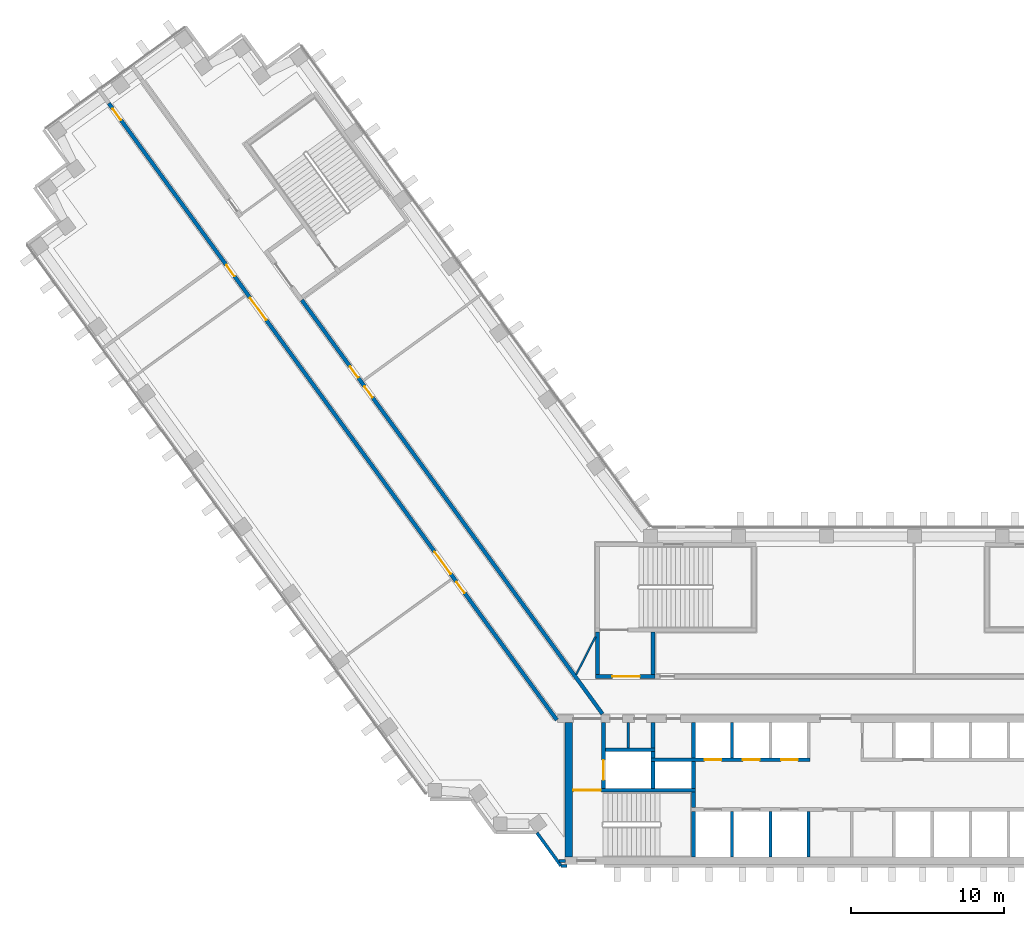
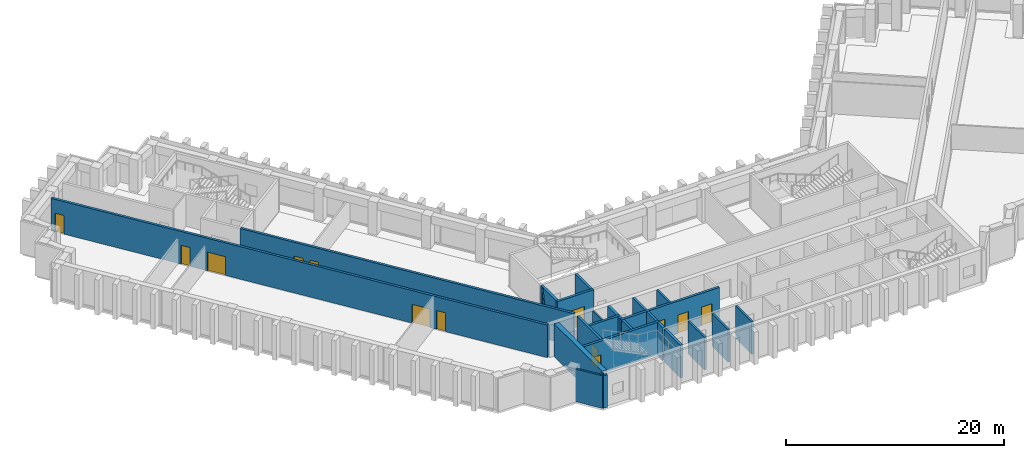
# One storey, part 4 of 11: 26 walls, 13 doors, 13 openings.
"""IFC4 building model written with IfcOpenShell, lengths in metres."""

from ifc_helpers import new_model, si_unit, direction, frame, frame_2d, origin, place, context, subcontext, project, spatial, rectangle, extrude, material, layer, layer_set, type_object, element, fill, save


model = new_model("IFC4")

# Units and contexts
model_context = context("Model", 3, precision=1e-05, world=origin(), true_north=direction((0.0, 1.0)))
body_context = subcontext(model_context, "Body", "Model", "MODEL_VIEW")
ifc_project = project(units=[si_unit("LENGTHUNIT", "METRE"), si_unit("AREAUNIT", "SQUARE_METRE"), si_unit("VOLUMEUNIT", "CUBIC_METRE"), si_unit("PLANEANGLEUNIT", "RADIAN"), si_unit("MASSUNIT", "GRAM", prefix="KILO")], contexts=[model_context])

# Site, building, storey
site_placement = place(None, origin())
site = spatial("IfcSite", under=ifc_project, at=site_placement, CompositionType="ELEMENT")
building_placement = place(site_placement, origin())
building = spatial("IfcBuilding", under=site, at=building_placement, Name="Quipu Civic Tower", CompositionType="ELEMENT")
storey_placement = place(building_placement, frame((0.0, 0.0, 117.0)))
storey = spatial("IfcBuildingStorey", under=building, at=storey_placement, Name="L27", CompositionType="ELEMENT", Elevation=117.0)

# Walls
ifc_material_1 = material(Name="Concrete C70/85", Category="concrete")
ifc_layer_1 = layer(ifc_material_1, 0.25)
ifc_layer_set_1 = layer_set([ifc_layer_1], Name="Concrete C70/85")
wall_type_1 = type_object("IfcWallType", Name="Core wall 250", PredefinedType="SHEAR", material=ifc_layer_set_1)
wall_1_placement = place(storey_placement, frame((-11.574951171875, -10.5, 0.0), z_axis=(0.0, 0.0, 1.0), x_axis=(0.0, 1.0, 0.0)))
element("IfcWall", 1, at=wall_1_placement, inside=storey, type_object=wall_type_1, Name="Core wall", PredefinedType="SHEAR", context=body_context, shape_type="SweptSolid", body=[
    extrude(rectangle(XDim=3.0, YDim=0.25, at=frame_2d((1.5, 0.0))), origin(), (0.0, 0.0, 1.0), 3.64990234375),
])
wall_2_placement = place(storey_placement, frame((-11.574951171875, -7.25, 0.0), z_axis=(0.0, 0.0, 1.0), x_axis=(0.0, 1.0, 0.0)))
element("IfcWall", 2, at=wall_2_placement, inside=storey, type_object=wall_type_1, Name="Core wall", PredefinedType="SHEAR", context=body_context, shape_type="SweptSolid", body=[
    extrude(rectangle(XDim=1.0, YDim=0.25, at=frame_2d((0.5, 0.0))), origin(), (0.0, 0.0, 1.0), 3.64990234375),
])

# Wall, opening, door
wall_3_placement = place(storey_placement, frame((-11.449951171875, -6.125, 0.0), z_axis=(0.0, 0.0, 1.0), x_axis=(-1.0, 0.0, 0.0)))
wall_3 = element("IfcWall", 3, at=wall_3_placement, inside=storey, type_object=wall_type_1, Name="Core wall", PredefinedType="SHEAR", context=body_context, shape_type="SweptSolid", body=[
    extrude(rectangle(XDim=8.050048828125, YDim=0.25, at=frame_2d((4.02490234375, 0.0))), origin(), (0.0, 0.0, 1.0), 3.64990234375),
])
opening_1_placement = place(wall_3_placement, frame((6.199951171875, 0.0, 0.0)))
opening_1 = element("IfcOpeningElement", 4, at=opening_1_placement, cuts=wall_3, Name="Opening CD-03", PredefinedType="OPENING", context=body_context, shape_type="SweptSolid", body=[
    extrude(rectangle(XDim=1.800048828125, YDim=2.10009765625, at=frame_2d((0.89990234375, 1.050048828125))), frame((0.0, 0.135009765625, 0.0), z_axis=(0.0, -1.0, 0.0), x_axis=(1.0, 0.0, 0.0)), (0.0, 0.0, 1.0), 0.27001953125),
])
ifc_material_2 = material(Name="Fire rated steel door", Category="steel")
door_type_1 = type_object("IfcDoorType", Name="Fire door FD90 double 1800 x 2100", OperationType="NOTDEFINED", PredefinedType="DOOR", material=ifc_material_2)
door_1_placement = place(opening_1_placement, origin())
door_1 = element("IfcDoor", 5, at=door_1_placement, inside=storey, type_object=door_type_1, Name="Door", OperationType="DOUBLE_DOOR_SINGLE_SWING", OverallHeight=2.10009765625, OverallWidth=1.800048828125, PredefinedType="DOOR", context=body_context, shape_type="SweptSolid", body=[
    extrude(rectangle(XDim=1.800048828125, YDim=2.10009765625, at=frame_2d((0.89990234375, 1.050048828125))), frame((0.0, 0.02490234375, 0.0), z_axis=(0.0, -1.0, 0.0), x_axis=(1.0, 0.0, 0.0)), (0.0, 0.0, 1.0), 0.050048828125),
])
fill(opening_1, door_1)

wall_4_placement = place(storey_placement, frame((-17.47509765625, -6.0, 0.0), z_axis=(0.0, 0.0, 1.0), x_axis=(0.0, 1.0, 0.0)))
wall_4 = element("IfcWall", 6, at=wall_4_placement, inside=storey, type_object=wall_type_1, Name="Core wall", PredefinedType="SHEAR", context=body_context, shape_type="SweptSolid", body=[
    extrude(rectangle(XDim=4.300048828125, YDim=0.25, at=frame_2d((2.14990234375, 0.0))), origin(), (0.0, 0.0, 1.0), 3.64990234375),
])
opening_2_placement = place(wall_4_placement, frame((0.550048828125, 0.0, 0.0)))
opening_2 = element("IfcOpeningElement", 7, at=opening_2_placement, cuts=wall_4, Name="Opening LD-FF1", PredefinedType="OPENING", context=body_context, shape_type="SweptSolid", body=[
    extrude(rectangle(XDim=1.300048828125, YDim=2.10009765625, at=frame_2d((0.64990234375, 1.050048828125))), frame((0.0, 0.135009765625, 0.0), z_axis=(0.0, -1.0, 0.0), x_axis=(1.0, 0.0, 0.0)), (0.0, 0.0, 1.0), 0.27001953125),
])
ifc_material_3 = material(Name="Stainless steel", Category="steel")
door_type_2 = type_object("IfcDoorType", Name="Lift landing door 1300 x 2100", OperationType="DOUBLE_DOOR_SLIDING", PredefinedType="DOOR", material=ifc_material_3)
door_2_placement = place(opening_2_placement, origin())
door_2 = element("IfcDoor", 8, at=door_2_placement, inside=storey, type_object=door_type_2, Name="Landing door FF1", OperationType="DOUBLE_DOOR_SLIDING", OverallHeight=2.10009765625, OverallWidth=1.300048828125, PredefinedType="DOOR", context=body_context, shape_type="SweptSolid", body=[
    extrude(rectangle(XDim=1.300048828125, YDim=2.10009765625, at=frame_2d((0.64990234375, 1.050048828125))), frame((0.0, 0.02490234375, 0.0), z_axis=(0.0, -1.0, 0.0), x_axis=(1.0, 0.0, 0.0)), (0.0, 0.0, 1.0), 0.050048828125),
])
fill(opening_2, door_2)

# Walls
for number, where, z_axis, x_axis, name in (
    (9, (-14.22509765625, -6.0, 0.0), (0.0, 0.0, 1.0), (0.0, 1.0, 0.0), "Core wall"),
    (10, (-11.574951171875, -6.0, 0.0), (0.0, 0.0, 1.0), (0.0, 1.0, 0.0), "Core wall"),
):
    element("IfcWall", number, at=place(storey_placement, frame(where, z_axis=z_axis, x_axis=x_axis)), inside=storey, type_object=wall_type_1, Name=name, PredefinedType="SHEAR", context=body_context, shape_type="SweptSolid", body=[
        extrude(rectangle(XDim=1.75, YDim=0.25, at=frame_2d((0.875, 0.0))), origin(), (0.0, 0.0, 1.0), 3.64990234375),
    ])

# Wall, openings, doors
wall_5_placement = place(storey_placement, frame((-14.35009765625, -4.125, 0.0), z_axis=(0.0, 0.0, 1.0), x_axis=(1.0, 0.0, 0.0)))
wall_5 = element("IfcWall", 11, at=wall_5_placement, inside=storey, type_object=wall_type_1, Name="Core wall", PredefinedType="SHEAR", context=body_context, shape_type="SweptSolid", body=[
    extrude(rectangle(XDim=10.400146484375, YDim=0.25, at=frame_2d((5.2001953125, 0.0))), origin(), (0.0, 0.0, 1.0), 3.64990234375),
])
opening_3_placement = place(wall_5_placement, frame((3.5, 0.0, 0.0)))
opening_3 = element("IfcOpeningElement", 12, at=opening_3_placement, cuts=wall_5, Name="Opening LD-LL4", PredefinedType="OPENING", context=body_context, shape_type="SweptSolid", body=[
    extrude(rectangle(XDim=1.10009765625, YDim=2.10009765625, at=frame_2d((0.550048828125, 1.050048828125))), frame((0.0, 0.135009765625, 0.0), z_axis=(0.0, -1.0, 0.0), x_axis=(1.0, 0.0, 0.0)), (0.0, 0.0, 1.0), 0.27001953125),
])
opening_4_placement = place(wall_5_placement, frame((6.0, 0.0, 0.0)))
opening_4 = element("IfcOpeningElement", 13, at=opening_4_placement, cuts=wall_5, Name="Opening LD-LL5", PredefinedType="OPENING", context=body_context, shape_type="SweptSolid", body=[
    extrude(rectangle(XDim=1.10009765625, YDim=2.10009765625, at=frame_2d((0.550048828125, 1.050048828125))), frame((0.0, 0.135009765625, 0.0), z_axis=(0.0, -1.0, 0.0), x_axis=(1.0, 0.0, 0.0)), (0.0, 0.0, 1.0), 0.27001953125),
])
opening_5_placement = place(wall_5_placement, frame((8.5, 0.0, 0.0)))
opening_5 = element("IfcOpeningElement", 14, at=opening_5_placement, cuts=wall_5, Name="Opening LD-LL6", PredefinedType="OPENING", context=body_context, shape_type="SweptSolid", body=[
    extrude(rectangle(XDim=1.10009765625, YDim=2.10009765625, at=frame_2d((0.550048828125, 1.050048828125))), frame((0.0, 0.135009765625, 0.0), z_axis=(0.0, -1.0, 0.0), x_axis=(1.0, 0.0, 0.0)), (0.0, 0.0, 1.0), 0.27001953125),
])
ifc_material_4 = material(Name="Stainless steel", Category="steel")
door_type_3 = type_object("IfcDoorType", Name="Lift landing door 1100 x 2100", OperationType="DOUBLE_DOOR_SLIDING", PredefinedType="DOOR", material=ifc_material_4)
door_3_placement = place(opening_3_placement, origin())
door_3 = element("IfcDoor", 15, at=door_3_placement, inside=storey, type_object=door_type_3, Name="Landing door LL4", OperationType="DOUBLE_DOOR_SLIDING", OverallHeight=2.10009765625, OverallWidth=1.10009765625, PredefinedType="DOOR", context=body_context, shape_type="SweptSolid", body=[
    extrude(rectangle(XDim=1.10009765625, YDim=2.10009765625, at=frame_2d((0.550048828125, 1.050048828125))), frame((0.0, 0.02490234375, 0.0), z_axis=(0.0, -1.0, 0.0), x_axis=(1.0, 0.0, 0.0)), (0.0, 0.0, 1.0), 0.050048828125),
])
fill(opening_3, door_3)
door_4_placement = place(opening_4_placement, origin())
door_4 = element("IfcDoor", 16, at=door_4_placement, inside=storey, type_object=door_type_3, Name="Landing door LL5", OperationType="DOUBLE_DOOR_SLIDING", OverallHeight=2.10009765625, OverallWidth=1.10009765625, PredefinedType="DOOR", context=body_context, shape_type="SweptSolid", body=[
    extrude(rectangle(XDim=1.10009765625, YDim=2.10009765625, at=frame_2d((0.550048828125, 1.050048828125))), frame((0.0, 0.02490234375, 0.0), z_axis=(0.0, -1.0, 0.0), x_axis=(1.0, 0.0, 0.0)), (0.0, 0.0, 1.0), 0.050048828125),
])
fill(opening_4, door_4)
door_5_placement = place(opening_5_placement, origin())
door_5 = element("IfcDoor", 17, at=door_5_placement, inside=storey, type_object=door_type_3, Name="Landing door LL6", OperationType="DOUBLE_DOOR_SLIDING", OverallHeight=2.10009765625, OverallWidth=1.10009765625, PredefinedType="DOOR", context=body_context, shape_type="SweptSolid", body=[
    extrude(rectangle(XDim=1.10009765625, YDim=2.10009765625, at=frame_2d((0.550048828125, 1.050048828125))), frame((0.0, 0.02490234375, 0.0), z_axis=(0.0, -1.0, 0.0), x_axis=(1.0, 0.0, 0.0)), (0.0, 0.0, 1.0), 0.050048828125),
])
fill(opening_5, door_5)

# Walls
wall_6_placement = place(storey_placement, frame((-14.22509765625, -4.0, 0.0), z_axis=(0.0, 0.0, 1.0), x_axis=(0.0, 1.0, 0.0)))
element("IfcWall", 18, at=wall_6_placement, inside=storey, type_object=wall_type_1, Name="Core wall", PredefinedType="SHEAR", context=body_context, shape_type="SweptSolid", body=[
    extrude(rectangle(XDim=0.39990234375, YDim=0.25, at=frame_2d((0.199951171875, 0.0))), origin(), (0.0, 0.0, 1.0), 3.64990234375),
])
wall_7_placement = place(storey_placement, frame((-11.574951171875, -4.0, 0.0), z_axis=(0.0, 0.0, 1.0), x_axis=(0.0, 1.0, 0.0)))
element("IfcWall", 19, at=wall_7_placement, inside=storey, type_object=wall_type_1, Name="Core wall", PredefinedType="SHEAR", context=body_context, shape_type="SweptSolid", body=[
    extrude(rectangle(XDim=2.300048828125, YDim=0.25, at=frame_2d((1.14990234375, 0.0))), origin(), (0.0, 0.0, 1.0), 3.64990234375),
])
wall_8_placement = place(storey_placement, frame((-17.35009765625, -3.47509765625, 0.0), z_axis=(0.0, 0.0, 1.0), x_axis=(1.0, 0.0, 0.0)))
element("IfcWall", 20, at=wall_8_placement, inside=storey, type_object=wall_type_1, Name="Core wall", PredefinedType="SHEAR", context=body_context, shape_type="SweptSolid", body=[
    extrude(rectangle(XDim=3.25, YDim=0.25, at=frame_2d((1.625, 0.0))), origin(), (0.0, 0.0, 1.0), 3.64990234375),
])
wall_9_placement = place(storey_placement, frame((-14.22509765625, -3.35009765625, 0.0), z_axis=(0.0, 0.0, 1.0), x_axis=(0.0, 1.0, 0.0)))
element("IfcWall", 21, at=wall_9_placement, inside=storey, type_object=wall_type_1, Name="Core wall", PredefinedType="SHEAR", context=body_context, shape_type="SweptSolid", body=[
    extrude(rectangle(XDim=1.650146484375, YDim=0.25, at=frame_2d((0.8251953125, 0.0))), origin(), (0.0, 0.0, 1.0), 3.64990234375),
])

# Wall, opening, door
wall_10_placement = place(storey_placement, frame((-18.0, 1.324951171875, 0.0), z_axis=(0.0, 0.0, 1.0), x_axis=(1.0, 0.0, 0.0)))
wall_10 = element("IfcWall", 22, at=wall_10_placement, inside=storey, type_object=wall_type_1, Name="Core wall", PredefinedType="SHEAR", context=body_context, shape_type="SweptSolid", body=[
    extrude(rectangle(XDim=3.89990234375, YDim=0.25, at=frame_2d((1.949951171875, 0.0))), origin(), (0.0, 0.0, 1.0), 3.64990234375),
])
opening_6_placement = place(wall_10_placement, frame((1.10009765625, 0.0, 0.0)))
opening_6 = element("IfcOpeningElement", 23, at=opening_6_placement, cuts=wall_10, Name="Opening CD-14", PredefinedType="OPENING", context=body_context, shape_type="SweptSolid", body=[
    extrude(rectangle(XDim=1.800048828125, YDim=2.10009765625, at=frame_2d((0.89990234375, 1.050048828125))), frame((0.0, 0.135009765625, 0.0), z_axis=(0.0, -1.0, 0.0), x_axis=(1.0, 0.0, 0.0)), (0.0, 0.0, 1.0), 0.27001953125),
])
door_6_placement = place(opening_6_placement, origin())
door_6 = element("IfcDoor", 24, at=door_6_placement, inside=storey, type_object=door_type_1, Name="Lobby door", OperationType="DOUBLE_DOOR_SINGLE_SWING", OverallHeight=2.10009765625, OverallWidth=1.800048828125, PredefinedType="DOOR", context=body_context, shape_type="SweptSolid", body=[
    extrude(rectangle(XDim=1.800048828125, YDim=2.10009765625, at=frame_2d((0.89990234375, 1.050048828125))), frame((0.0, 0.02490234375, 0.0), z_axis=(0.0, -1.0, 0.0), x_axis=(1.0, 0.0, 0.0)), (0.0, 0.0, 1.0), 0.050048828125),
])
fill(opening_6, door_6)

# Walls
for number, where, z_axis, x_axis, name in (
    (25, (-17.875, 1.449951171875, 0.0), (0.0, 0.0, 1.0), (0.0, 1.0, 0.0), "Core wall"),
    (26, (-14.22509765625, 1.449951171875, 0.0), (0.0, 0.0, 1.0), (0.0, 1.0, 0.0), "Core wall"),
):
    element("IfcWall", number, at=place(storey_placement, frame(where, z_axis=z_axis, x_axis=x_axis)), inside=storey, type_object=wall_type_1, Name=name, PredefinedType="SHEAR", context=body_context, shape_type="SweptSolid", body=[
        extrude(rectangle(XDim=2.800048828125, YDim=0.25, at=frame_2d((1.39990234375, 0.0))), origin(), (0.0, 0.0, 1.0), 3.64990234375),
    ])
ifc_material_5 = material(Name="Concrete C70/85", Category="concrete")
ifc_layer_2 = layer(ifc_material_5, 0.5)
ifc_layer_set_2 = layer_set([ifc_layer_2], Name="Concrete C70/85")
wall_type_2 = type_object("IfcWallType", Name="Core wall 500", PredefinedType="SHEAR", material=ifc_layer_set_2)
wall_11_placement = place(storey_placement, frame((-19.75, -10.5, 0.0), z_axis=(0.0, 0.0, 1.0), x_axis=(0.0, 1.0, 0.0)))
element("IfcWall", 27, at=wall_11_placement, inside=storey, type_object=wall_type_2, Name="Core wall", PredefinedType="SHEAR", context=body_context, shape_type="SweptSolid", body=[
    extrude(rectangle(XDim=8.800048828125, YDim=0.5, at=frame_2d((4.39990234375, 0.0))), origin(), (0.0, 0.0, 1.0), 3.64990234375),
])

# Wall, openings, doors
ifc_material_6 = material(Name="Concrete C50/60", Category="concrete")
ifc_layer_3 = layer(ifc_material_6, 0.25)
ifc_layer_set_3 = layer_set([ifc_layer_3], Name="Concrete C50/60")
wall_type_3 = type_object("IfcWallType", Name="Corridor wall 250 concrete", PredefinedType="SOLIDWALL", material=ifc_layer_set_3)
wall_12_placement = place(storey_placement, frame((-20.531005859375, -1.5234375, 0.0), z_axis=(0.0, 0.0, 1.0), x_axis=(-0.587784522481, 0.809017524614, 0.0)))
wall_12 = element("IfcWall", 28, at=wall_12_placement, inside=storey, type_object=wall_type_3, Name="Corridor wall C02", PredefinedType="SOLIDWALL", context=body_context, shape_type="SweptSolid", body=[
    extrude(rectangle(XDim=49.912353515625, YDim=0.25, at=frame_2d((24.9560546875, 0.0))), origin(), (0.0, 0.0, 1.0), 3.64990234375),
])
opening_7_placement = place(wall_12_placement, frame((10.265869140625, 0.0, 0.0)))
opening_7 = element("IfcOpeningElement", 29, at=opening_7_placement, cuts=wall_12, Name="Opening D015", PredefinedType="OPENING", context=body_context, shape_type="SweptSolid", body=[
    extrude(rectangle(XDim=0.89990234375, YDim=2.10009765625, at=frame_2d((0.449951171875, 1.050048828125))), frame((0.0, 0.135009765625, 0.0), z_axis=(0.0, -1.0, 0.0), x_axis=(1.0, 0.0, 0.0)), (0.0, 0.0, 1.0), 0.27001953125),
])
opening_8_placement = place(wall_12_placement, frame((32.365966796875, 0.0, 0.0)))
opening_8 = element("IfcOpeningElement", 30, at=opening_8_placement, cuts=wall_12, Name="Opening D013", PredefinedType="OPENING", context=body_context, shape_type="SweptSolid", body=[
    extrude(rectangle(XDim=1.800048828125, YDim=2.10009765625, at=frame_2d((0.89990234375, 1.050048828125))), frame((0.0, 0.135009765625, 0.0), z_axis=(0.0, -1.0, 0.0), x_axis=(1.0, 0.0, 0.0)), (0.0, 0.0, 1.0), 0.27001953125),
])
opening_9_placement = place(wall_12_placement, frame((11.8154296875, 0.0, 0.0)))
opening_9 = element("IfcOpeningElement", 31, at=opening_9_placement, cuts=wall_12, Name="Opening D014", PredefinedType="OPENING", context=body_context, shape_type="SweptSolid", body=[
    extrude(rectangle(XDim=1.800048828125, YDim=2.10009765625, at=frame_2d((0.89990234375, 1.050048828125))), frame((0.0, 0.135009765625, 0.0), z_axis=(0.0, -1.0, 0.0), x_axis=(1.0, 0.0, 0.0)), (0.0, 0.0, 1.0), 0.27001953125),
])
opening_10_placement = place(wall_12_placement, frame((48.5703125, 0.0, 0.0)))
opening_10 = element("IfcOpeningElement", 32, at=opening_10_placement, cuts=wall_12, Name="Opening D011", PredefinedType="OPENING", context=body_context, shape_type="SweptSolid", body=[
    extrude(rectangle(XDim=0.89990234375, YDim=2.10009765625, at=frame_2d((0.449951171875, 1.050048828125))), frame((0.0, 0.135009765625, 0.0), z_axis=(0.0, -1.0, 0.0), x_axis=(1.0, 0.0, 0.0)), (0.0, 0.0, 1.0), 0.27001953125),
])
opening_11_placement = place(wall_12_placement, frame((35.9150390625, 0.0, 0.0)))
opening_11 = element("IfcOpeningElement", 33, at=opening_11_placement, cuts=wall_12, Name="Opening D012", PredefinedType="OPENING", context=body_context, shape_type="SweptSolid", body=[
    extrude(rectangle(XDim=0.89990234375, YDim=2.10009765625, at=frame_2d((0.449951171875, 1.050048828125))), frame((0.0, 0.135009765625, 0.0), z_axis=(0.0, -1.0, 0.0), x_axis=(1.0, 0.0, 0.0)), (0.0, 0.0, 1.0), 0.27001953125),
])
ifc_material_7 = material(Name="Fire rated timber door set with metal frame", Category="wood")
door_type_4 = type_object("IfcDoorType", Name="Double door 1800 x 2100 FD60", OperationType="DOUBLE_DOOR_SINGLE_SWING", PredefinedType="DOOR", material=ifc_material_7)
door_7_placement = place(opening_8_placement, origin())
door_7 = element("IfcDoor", 34, at=door_7_placement, inside=storey, type_object=door_type_4, Name="Door D013", OperationType="DOUBLE_DOOR_SINGLE_SWING", OverallHeight=2.10009765625, OverallWidth=1.800048828125, PredefinedType="DOOR", context=body_context, shape_type="SweptSolid", body=[
    extrude(rectangle(XDim=1.800048828125, YDim=2.10009765625, at=frame_2d((0.89990234375, 1.050048828125))), frame((0.0, 0.02490234375, 0.0), z_axis=(0.0, -1.0, 0.0), x_axis=(1.0, 0.0, 0.0)), (0.0, 0.0, 1.0), 0.050048828125),
])
fill(opening_8, door_7)
door_8_placement = place(opening_9_placement, origin())
door_8 = element("IfcDoor", 35, at=door_8_placement, inside=storey, type_object=door_type_4, Name="Door D014", OperationType="DOUBLE_DOOR_SINGLE_SWING", OverallHeight=2.10009765625, OverallWidth=1.800048828125, PredefinedType="DOOR", context=body_context, shape_type="SweptSolid", body=[
    extrude(rectangle(XDim=1.800048828125, YDim=2.10009765625, at=frame_2d((0.89990234375, 1.050048828125))), frame((0.0, 0.02490234375, 0.0), z_axis=(0.0, -1.0, 0.0), x_axis=(1.0, 0.0, 0.0)), (0.0, 0.0, 1.0), 0.050048828125),
])
fill(opening_9, door_8)
ifc_material_8 = material(Name="Fire rated timber door set with metal frame", Category="wood")
door_type_5 = type_object("IfcDoorType", Name="Single door 900 x 2100 FD60", OperationType="NOTDEFINED", PredefinedType="DOOR", material=ifc_material_8)
door_9_placement = place(opening_7_placement, origin())
door_9 = element("IfcDoor", 36, at=door_9_placement, inside=storey, type_object=door_type_5, Name="Door D015", OperationType="SINGLE_SWING_RIGHT", OverallHeight=2.10009765625, OverallWidth=0.89990234375, PredefinedType="DOOR", context=body_context, shape_type="SweptSolid", body=[
    extrude(rectangle(XDim=0.89990234375, YDim=2.10009765625, at=frame_2d((0.449951171875, 1.050048828125))), frame((0.0, 0.02490234375, 0.0), z_axis=(0.0, -1.0, 0.0), x_axis=(1.0, 0.0, 0.0)), (0.0, 0.0, 1.0), 0.050048828125),
])
fill(opening_7, door_9)
door_10_placement = place(opening_10_placement, origin())
door_10 = element("IfcDoor", 37, at=door_10_placement, inside=storey, type_object=door_type_5, Name="Door D011", OperationType="SINGLE_SWING_RIGHT", OverallHeight=2.10009765625, OverallWidth=0.89990234375, PredefinedType="DOOR", context=body_context, shape_type="SweptSolid", body=[
    extrude(rectangle(XDim=0.89990234375, YDim=2.10009765625, at=frame_2d((0.449951171875, 1.050048828125))), frame((0.0, 0.02490234375, 0.0), z_axis=(0.0, -1.0, 0.0), x_axis=(1.0, 0.0, 0.0)), (0.0, 0.0, 1.0), 0.050048828125),
])
fill(opening_10, door_10)
door_11_placement = place(opening_11_placement, origin())
door_11 = element("IfcDoor", 38, at=door_11_placement, inside=storey, type_object=door_type_5, Name="Door D012", OperationType="SINGLE_SWING_RIGHT", OverallHeight=2.10009765625, OverallWidth=0.89990234375, PredefinedType="DOOR", context=body_context, shape_type="SweptSolid", body=[
    extrude(rectangle(XDim=0.89990234375, YDim=2.10009765625, at=frame_2d((0.449951171875, 1.050048828125))), frame((0.0, 0.02490234375, 0.0), z_axis=(0.0, -1.0, 0.0), x_axis=(1.0, 0.0, 0.0)), (0.0, 0.0, 1.0), 0.050048828125),
])
fill(opening_11, door_11)

wall_13_placement = place(storey_placement, frame((-37.231689453125, 25.9716796875, 0.0), z_axis=(0.0, 0.0, 1.0), x_axis=(0.587786323093, -0.809016216391, 0.0)))
wall_13 = element("IfcWall", 39, at=wall_13_placement, inside=storey, type_object=wall_type_3, Name="Corridor wall C04", PredefinedType="SOLIDWALL", context=body_context, shape_type="SweptSolid", body=[
    extrude(rectangle(XDim=33.4931640625, YDim=0.25, at=frame_2d((16.74658203125, 0.0))), origin(), (0.0, 0.0, 1.0), 3.64990234375),
])
opening_12_placement = place(wall_13_placement, frame((5.38525390625, 0.0, 0.0)))
opening_12 = element("IfcOpeningElement", 40, at=opening_12_placement, cuts=wall_13, Name="Opening D009", PredefinedType="OPENING", context=body_context, shape_type="SweptSolid", body=[
    extrude(rectangle(XDim=0.89990234375, YDim=2.10009765625, at=frame_2d((0.449951171875, 1.050048828125))), frame((0.0, 0.135009765625, 0.0), z_axis=(0.0, -1.0, 0.0), x_axis=(1.0, 0.0, 0.0)), (0.0, 0.0, 1.0), 0.27001953125),
])
opening_13_placement = place(wall_13_placement, frame((6.985107421875, 0.0, 0.0)))
opening_13 = element("IfcOpeningElement", 41, at=opening_13_placement, cuts=wall_13, Name="Opening D010", PredefinedType="OPENING", context=body_context, shape_type="SweptSolid", body=[
    extrude(rectangle(XDim=0.89990234375, YDim=2.10009765625, at=frame_2d((0.449951171875, 1.050048828125))), frame((0.0, 0.135009765625, 0.0), z_axis=(0.0, -1.0, 0.0), x_axis=(1.0, 0.0, 0.0)), (0.0, 0.0, 1.0), 0.27001953125),
])
door_12_placement = place(opening_12_placement, origin())
door_12 = element("IfcDoor", 42, at=door_12_placement, inside=storey, type_object=door_type_5, Name="Door D009", OperationType="SINGLE_SWING_RIGHT", OverallHeight=2.10009765625, OverallWidth=0.89990234375, PredefinedType="DOOR", context=body_context, shape_type="SweptSolid", body=[
    extrude(rectangle(XDim=0.89990234375, YDim=2.10009765625, at=frame_2d((0.449951171875, 1.050048828125))), frame((0.0, 0.02490234375, 0.0), z_axis=(0.0, -1.0, 0.0), x_axis=(1.0, 0.0, 0.0)), (0.0, 0.0, 1.0), 0.050048828125),
])
fill(opening_12, door_12)
door_13_placement = place(opening_13_placement, origin())
door_13 = element("IfcDoor", 43, at=door_13_placement, inside=storey, type_object=door_type_5, Name="Door D010", OperationType="SINGLE_SWING_LEFT", OverallHeight=2.10009765625, OverallWidth=0.89990234375, PredefinedType="DOOR", context=body_context, shape_type="SweptSolid", body=[
    extrude(rectangle(XDim=0.89990234375, YDim=2.10009765625, at=frame_2d((0.449951171875, 1.050048828125))), frame((0.0, 0.02490234375, 0.0), z_axis=(0.0, -1.0, 0.0), x_axis=(1.0, 0.0, 0.0)), (0.0, 0.0, 1.0), 0.050048828125),
])
fill(opening_13, door_13)

# Walls
ifc_material_9 = material(Name="Gypsum plasterboard on light gauge framing")
ifc_layer_4 = layer(ifc_material_9, 0.1201171875)
ifc_layer_set_4 = layer_set([ifc_layer_4], Name="Gypsum plasterboard on light gauge framing")
wall_type_4 = type_object("IfcWallType", Name="Partition 120 plasterboard", PredefinedType="PARTITIONING", material=ifc_layer_set_4)
wall_14_placement = place(storey_placement, frame((-19.260986328125, 1.449951171875, 0.0), z_axis=(0.0, 0.0, 1.0), x_axis=(0.453950796792, 0.891026752736, 0.0)))
element("IfcWall", 44, at=wall_14_placement, inside=storey, type_object=wall_type_4, Name="Partition P11", PredefinedType="PARTITIONING", context=body_context, shape_type="SweptSolid", body=[
    extrude(rectangle(XDim=2.77783203125, YDim=0.1201171875, at=frame_2d((1.388916015625, 0.0))), origin(), (0.0, 0.0, 1.0), 3.64990234375),
])
ifc_material_10 = material(Name="Gypsum board partition")
ifc_layer_5 = layer(ifc_material_10, 0.14990234375)
ifc_layer_set_5 = layer_set([ifc_layer_5], Name="Gypsum board partition")
wall_type_5 = type_object("IfcWallType", Name="Partition 150", PredefinedType="PARTITIONING", material=ifc_layer_set_5)
wall_15_placement = place(storey_placement, frame((-15.85009765625, -3.35009765625, 0.0), z_axis=(0.0, 0.0, 1.0), x_axis=(0.0, 1.0, 0.0)))
element("IfcWall", 45, at=wall_15_placement, inside=storey, type_object=wall_type_5, Name="Partition", PredefinedType="PARTITIONING", context=body_context, shape_type="SweptSolid", body=[
    extrude(rectangle(XDim=1.650146484375, YDim=0.14990234375, at=frame_2d((0.8251953125, 0.0))), origin(), (0.0, 0.0, 1.0), 3.64990234375),
])
ifc_material_11 = material(Name="Precast concrete C40/50", Category="concrete")
wall_type_6 = type_object("IfcWallType", Name="Precast cladding wall", PredefinedType="SOLIDWALL", material=ifc_material_11)
wall_16_placement = place(storey_placement, frame((-21.8330078125, -8.90869140625, 0.0), z_axis=(0.0, 0.0, 1.0), x_axis=(0.587766567315, -0.809030569476, 0.0)))
element("IfcWall", 46, at=wall_16_placement, inside=storey, type_object=wall_type_6, Name="Precast cladding wall L27 P15", PredefinedType="SOLIDWALL", context=body_context, shape_type="SweptSolid", body=[
    extrude(rectangle(XDim=2.687744140625, YDim=0.199951171875, at=frame_2d((1.34375, 0.0))), origin(), (0.0, 0.0, 1.0), 3.64990234375),
])
wall_17_placement = place(storey_placement, frame((-20.255859375, -11.087890625, 0.0), z_axis=(0.0, 0.0, 1.0), x_axis=(1.0, 0.0, 0.0)))
element("IfcWall", 47, at=wall_17_placement, inside=storey, type_object=wall_type_6, Name="Precast cladding wall L27 P16", PredefinedType="SOLIDWALL", context=body_context, shape_type="SweptSolid", body=[
    extrude(rectangle(XDim=0.40576171875, YDim=0.199951171875, at=frame_2d((0.202880859375, 0.0))), origin(), (0.0, 0.0, 1.0), 3.64990234375),
])
wall_18_placement = place(storey_placement, frame((-19.97998046875, -10.75, 0.0), z_axis=(0.0, 0.0, 1.0), x_axis=(-1.0, 0.0, 0.0)))
element("IfcWall", 48, at=wall_18_placement, inside=storey, type_object=wall_type_6, Name="Precast cladding return L27 W", PredefinedType="SOLIDWALL", context=body_context, shape_type="SweptSolid", body=[
    extrude(rectangle(XDim=0.41650390625, YDim=0.199951171875, at=frame_2d((0.208251953125, 0.0))), origin(), (0.0, 0.0, 1.0), 3.64990234375),
])
ifc_material_12 = material(Name="Concrete C40/50", Category="concrete")
ifc_layer_6 = layer(ifc_material_12, 0.199951171875)
ifc_layer_set_6 = layer_set([ifc_layer_6], Name="Concrete C40/50")
wall_type_7 = type_object("IfcWallType", Name="Shaft wall 200", PredefinedType="SOLIDWALL", material=ifc_layer_set_6)
for number, where, z_axis, x_axis, name in (
    (49, (-9.050048828125, -10.5, 0.0), (0.0, 0.0, 1.0), (0.0, 1.0, 0.0), "Shaft wall"),
    (50, (-6.550048828125, -10.5, 0.0), (0.0, 0.0, 1.0), (0.0, 1.0, 0.0), "Shaft wall"),
    (51, (-4.050048828125, -10.5, 0.0), (0.0, 0.0, 1.0), (0.0, 1.0, 0.0), "Shaft wall"),
):
    element("IfcWall", number, at=place(storey_placement, frame(where, z_axis=z_axis, x_axis=x_axis)), inside=storey, type_object=wall_type_7, Name=name, PredefinedType="SOLIDWALL", context=body_context, shape_type="SweptSolid", body=[
        extrude(rectangle(XDim=3.0, YDim=0.199951171875, at=frame_2d((1.5, 0.0))), origin(), (0.0, 0.0, 1.0), 3.64990234375),
    ])
wall_19_placement = place(storey_placement, frame((-9.050048828125, -4.0, 0.0), z_axis=(0.0, 0.0, 1.0), x_axis=(0.0, 1.0, 0.0)))
element("IfcWall", 52, at=wall_19_placement, inside=storey, type_object=wall_type_7, Name="Shaft wall", PredefinedType="SOLIDWALL", context=body_context, shape_type="SweptSolid", body=[
    extrude(rectangle(XDim=2.300048828125, YDim=0.199951171875, at=frame_2d((1.14990234375, 0.0))), origin(), (0.0, 0.0, 1.0), 3.64990234375),
])

save(model, "model.ifc")
